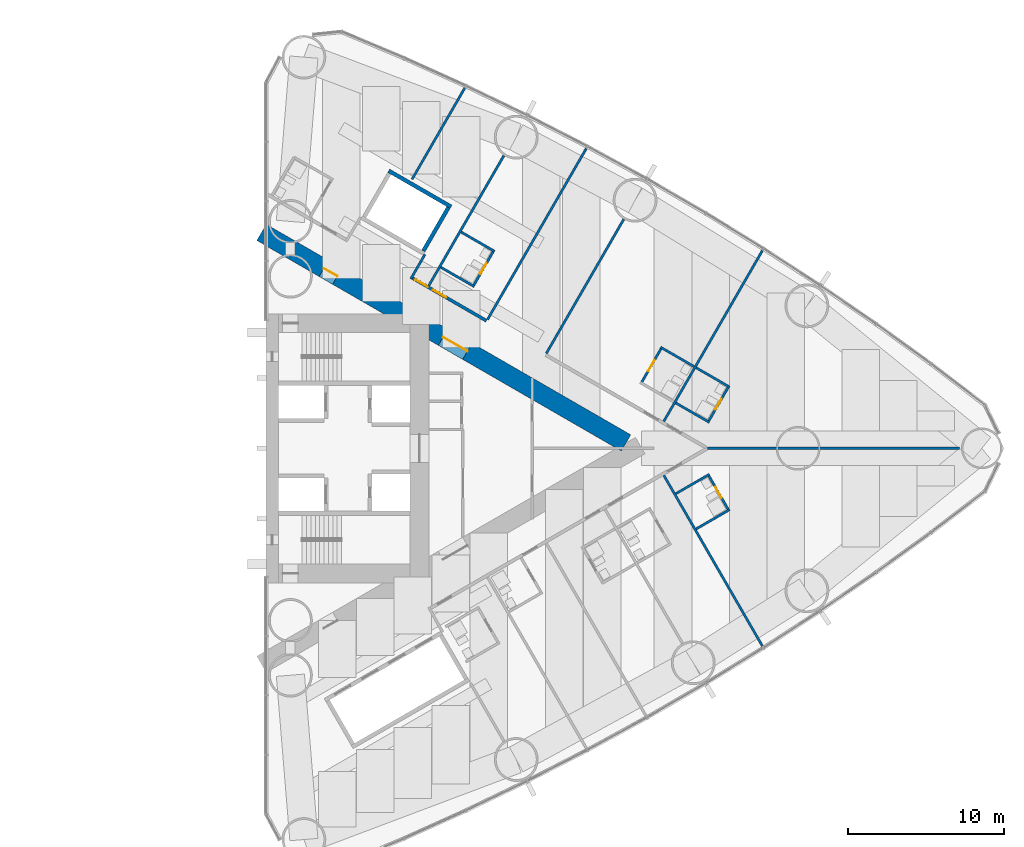
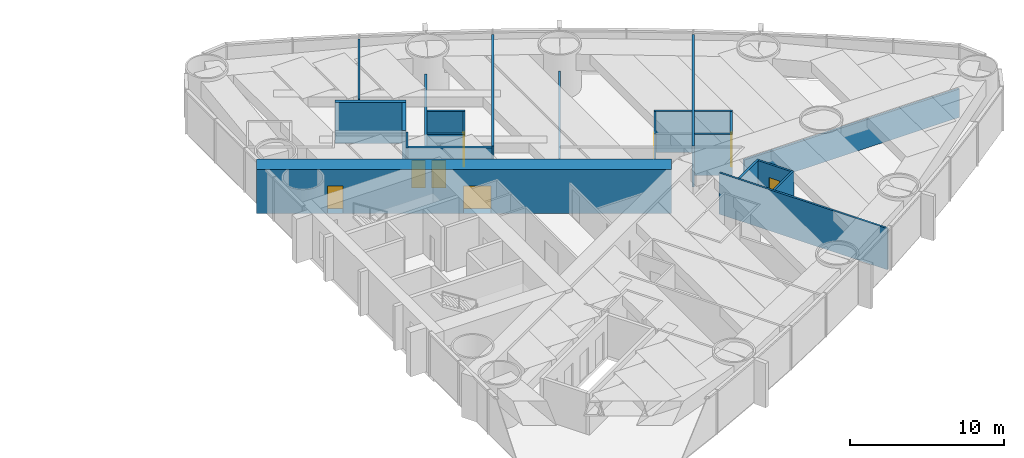
# One storey, part 15 of 18: 23 walls, 8 doors, 8 openings.
"""IFC4 building model written with IfcOpenShell, lengths in metres."""

import ifcopenshell
import ifcopenshell.guid

model = None  # the IFC model being written
_history = None  # IfcOwnerHistory: only IFC2X3 demands one
_inside = {}  # id of a spatial element -> (the spatial element, [elements in it])
_under = {}  # id of a project, library or spatial element -> (it, [spatial elements below it])
_declared = {}  # id of a project -> (the project, [libraries it declares])
_typed = {}  # id of a type object -> (the type object, [elements of that type])
_made_of = {}  # id of a material, layer set ... -> (it, [elements and type objects made of it])


def new_model(schema):
    """Start an empty IFC model of exactly this schema.

    Asked for "IFC4X3", IfcOpenShell would pick the latest addendum, in which some entities
    have other attributes; the version numbers below select the first issue.
    IFC2X3 requires an IfcOwnerHistory on every rooted entity: one is made here for all.
    """
    global model, _history
    if schema == "IFC4X3":
        model = ifcopenshell.file(schema_version=(4, 3, 0, 0))
    else:
        model = ifcopenshell.file(schema=schema)
    _inside.clear()
    _under.clear()
    _declared.clear()
    _typed.clear()
    _made_of.clear()
    _history = None
    if model.schema == "IFC2X3":
        org = make("IfcOrganization", Name="unknown")
        user = make(
            "IfcPersonAndOrganization",
            ThePerson=make("IfcPerson", FamilyName="unknown"),
            TheOrganization=org,
        )
        app = make(
            "IfcApplication",
            ApplicationDeveloper=org,
            Version="unknown",
            ApplicationFullName="unknown",
            ApplicationIdentifier="unknown",
        )
        _history = make(
            "IfcOwnerHistory",
            OwningUser=user,
            OwningApplication=app,
            ChangeAction="ADDED",
            CreationDate=0,
        )
    return model


def make(cls, **values):
    """One entity of the class cls with the attributes given. An attribute that is None is left unset."""
    return model.create_entity(
        cls, **{name: value for name, value in values.items() if value is not None}
    )


def rooted(cls, **values):
    """An entity with a GlobalId (a new one), such as an element, a storey or a relation."""
    return make(cls, GlobalId=ifcopenshell.guid.new(), OwnerHistory=_history, **values)


def si_unit(unit_type, name, prefix=None):
    """IfcSIUnit, for example si_unit("LENGTHUNIT", "METRE", prefix="MILLI")."""
    return make("IfcSIUnit", UnitType=unit_type, Prefix=prefix, Name=name)


def assignment(units):
    """IfcUnitAssignment: the units of a project."""
    return None if units is None else make("IfcUnitAssignment", Units=units)


def point(xyz):
    """IfcCartesianPoint."""
    return None if xyz is None else make("IfcCartesianPoint", Coordinates=xyz)


def direction(xyz):
    """IfcDirection."""
    return None if xyz is None else make("IfcDirection", DirectionRatios=xyz)


def frame(location, z_axis=None, x_axis=None):
    """IfcAxis2Placement3D, a coordinate frame: its origin and axes. An axis left out is left unset."""
    return make(
        "IfcAxis2Placement3D",
        Location=point(location),
        Axis=direction(z_axis),
        RefDirection=direction(x_axis),
    )


def frame_2d(location, x_axis=None):
    """IfcAxis2Placement2D, a coordinate frame in the plane: its origin and x axis."""
    return make(
        "IfcAxis2Placement2D", Location=point(location), RefDirection=direction(x_axis)
    )


def origin():
    """The frame at (0, 0, 0) with its axes left unset."""
    return frame((0.0, 0.0, 0.0))


def place(relative_to, where):
    """IfcLocalPlacement: puts the frame where relative to a parent placement (None: the world)."""
    return make(
        "IfcLocalPlacement", PlacementRelTo=relative_to, RelativePlacement=where
    )


def context(
    kind, dimensions, precision=None, world=None, true_north=None, identifier=None
):
    """IfcGeometricRepresentationContext, for example the 3D "Model" context."""
    return make(
        "IfcGeometricRepresentationContext",
        ContextIdentifier=identifier,
        ContextType=kind,
        CoordinateSpaceDimension=dimensions,
        Precision=precision,
        WorldCoordinateSystem=world,
        TrueNorth=true_north,
    )


def subcontext(parent, identifier, kind, view, scale=None):
    """IfcGeometricRepresentationSubContext, for example "Body" below "Model"."""
    return make(
        "IfcGeometricRepresentationSubContext",
        ContextIdentifier=identifier,
        ContextType=kind,
        ParentContext=parent,
        TargetScale=scale,
        TargetView=view,
    )


def project(units=None, contexts=None):
    """IfcProject with its units and contexts."""
    return rooted(
        "IfcProject",
        Name="project",
        RepresentationContexts=contexts,
        UnitsInContext=assignment(units),
    )


def spatial(cls, under=None, at=None, **own):
    """A site, building, storey or space (cls), placed at a placement, below another one or the project."""
    s = rooted(cls, ObjectPlacement=at, **own)
    if under is not None:
        _under.setdefault(under.id(), (under, []))[1].append(s)
    return s


def profile(cls, at=None, kind="AREA", **sizes):
    """A parametric profile (cls). Its sizes go by their IFC names, for example OverallWidth=200.0."""
    return make(cls, ProfileType=kind, Position=at, **sizes)


def rectangle(**sizes):
    """IfcRectangleProfileDef."""
    return profile("IfcRectangleProfileDef", **sizes)


def extrude(swept, where, along, depth):
    """IfcExtrudedAreaSolid: the profile swept, set in the frame where, extruded along a direction by depth."""
    return make(
        "IfcExtrudedAreaSolid",
        SweptArea=swept,
        Position=where,
        ExtrudedDirection=direction(along),
        Depth=depth,
    )


def shape(context_of_items, identifier, shape_type, items):
    """IfcShapeRepresentation: the items that make up one representation, for example the "Body"."""
    return make(
        "IfcShapeRepresentation",
        ContextOfItems=context_of_items,
        RepresentationIdentifier=identifier,
        RepresentationType=shape_type,
        Items=items,
    )


def material(Name=None, Category=None):
    """IfcMaterial."""
    return make("IfcMaterial", Name=Name, Category=Category)


def layer(
    of_material, thickness, ventilated=None, Name=None, Category=None, Priority=None
):
    """IfcMaterialLayer: one layer of a wall or slab, of a material (None: an air gap)."""
    return make(
        "IfcMaterialLayer",
        Material=of_material,
        LayerThickness=thickness,
        IsVentilated=ventilated,
        Name=Name,
        Category=Category,
        Priority=Priority,
    )


def layer_set(layers, Name=None):
    """IfcMaterialLayerSet."""
    return make("IfcMaterialLayerSet", MaterialLayers=layers, LayerSetName=Name)


def made_of(thing, what):
    """Note that an element or type object is made of a material, layer set ...; save() writes the relation."""
    if what is not None:
        _made_of.setdefault(what.id(), (what, []))[1].append(thing)
    return thing


def type_object(cls, material=None, **own):
    """A type object (cls), such as IfcWallType, which elements share."""
    return made_of(rooted(cls, **own), material)


def element(
    cls,
    number,
    at=None,
    inside=None,
    cuts=None,
    type_object=None,
    material=None,
    context=None,
    identifier="Body",
    shape_type=None,
    held_by="IfcProductDefinitionShape",
    body=None,
    shapes=None,
    **own,
):
    """One element of the class cls, such as IfcWall. Its Tag is "e" and its number.

    at: its placement. inside: the storey or other place that contains it. cuts: it is an
    opening in that element (IfcRelVoidsElement). A single representation is given by context,
    identifier, shape_type and body (its items); several are given by shapes. held_by: the class
    of the entity that holds the representations. save() writes the other relations.
    """
    e = rooted(cls, Tag="e%d" % number, ObjectPlacement=at, **own)
    if body is not None:
        shapes = [shape(context, identifier, shape_type, body)]
    if shapes is not None:
        e.Representation = make(held_by, Representations=shapes)
    if inside is not None:
        _inside.setdefault(inside.id(), (inside, []))[1].append(e)
    if cuts is not None:
        rooted(
            "IfcRelVoidsElement", RelatingBuildingElement=cuts, RelatedOpeningElement=e
        )
    if type_object is not None:
        _typed.setdefault(type_object.id(), (type_object, []))[1].append(e)
    return made_of(e, material)


def fill(opening, filler):
    """IfcRelFillsElement: the door or window that sits in an opening."""
    return rooted(
        "IfcRelFillsElement",
        RelatingOpeningElement=opening,
        RelatedBuildingElement=filler,
    )


def aggregate(whole, parts):
    """IfcRelAggregates: a whole, such as a stair, and the parts it consists of."""
    return rooted("IfcRelAggregates", RelatingObject=whole, RelatedObjects=parts)


def save(model, path):
    """Write the relations noted so far, then the file.

    IfcRelAggregates (storeys below a building ...), IfcRelContainedInSpatialStructure (elements
    in a storey), IfcRelDefinesByType, IfcRelAssociatesMaterial and IfcRelDeclares: one each for
    every whole, place, type object, material and project.
    """
    for whole, parts in _under.values():
        aggregate(whole, parts)
    for where, things in _inside.values():
        rooted(
            "IfcRelContainedInSpatialStructure",
            RelatedElements=things,
            RelatingStructure=where,
        )
    for kind, things in _typed.values():
        rooted("IfcRelDefinesByType", RelatedObjects=things, RelatingType=kind)
    for what, things in _made_of.values():
        rooted("IfcRelAssociatesMaterial", RelatedObjects=things, RelatingMaterial=what)
    for by, libraries in _declared.values():
        rooted("IfcRelDeclares", RelatingContext=by, RelatedDefinitions=libraries)
    model.write(path)


model = new_model("IFC4")

# Units and contexts
model_context = context("Model", 3, precision=1e-05, world=origin(), true_north=direction((0.0, 1.0)))
body_context = subcontext(model_context, "Body", "Model", "MODEL_VIEW")
ifc_project = project(units=[si_unit("LENGTHUNIT", "METRE"), si_unit("AREAUNIT", "SQUARE_METRE"), si_unit("VOLUMEUNIT", "CUBIC_METRE"), si_unit("PLANEANGLEUNIT", "RADIAN"), si_unit("MASSUNIT", "GRAM", prefix="KILO")], contexts=[model_context])

# Site, building, storey
site_placement = place(None, origin())
site = spatial("IfcSite", under=ifc_project, at=site_placement, CompositionType="ELEMENT")
building_placement = place(site_placement, origin())
building = spatial("IfcBuilding", under=site, at=building_placement, Name="Lancet Gate Hotel", CompositionType="ELEMENT")
storey_placement = place(building_placement, frame((0.0, 0.0, 49.5)))
storey = spatial("IfcBuildingStorey", under=building, at=storey_placement, Name="L12", CompositionType="ELEMENT", Elevation=49.5)

# Wall
ifc_material_1 = material(Name="Moisture resistant board partition")
ifc_layer_1 = layer(ifc_material_1, 0.14990234375)
ifc_layer_set_1 = layer_set([ifc_layer_1], Name="Bathroom wall 150")
wall_type_1 = type_object("IfcWallType", Name="Bathroom wall 150", PredefinedType="PARTITIONING", material=ifc_layer_set_1)
wall_1_placement = place(storey_placement, frame((54.979736328125, -5.1513671875, 0.0), z_axis=(0.0, 0.0, 1.0), x_axis=(0.86604923931, 0.499958713387, 0.0)))
element("IfcWall", 1, at=wall_1_placement, inside=storey, type_object=wall_type_1, Name="T2 bathroom wall 150 L12", PredefinedType="PARTITIONING", context=body_context, shape_type="SweptSolid", body=[
    extrude(rectangle(XDim=2.474853515625, YDim=0.14990234375, at=frame_2d((1.2373046875, 0.0))), origin(), (0.0, 0.0, 1.0), 3.25),
])

# Wall, opening, door
wall_2_placement = place(storey_placement, frame((55.758056640625, -1.69970703125, 0.0), z_axis=(0.0, 0.0, 1.0), x_axis=(0.500006934395, -0.866021400173, 0.0)))
wall_2 = element("IfcWall", 2, at=wall_2_placement, inside=storey, type_object=wall_type_1, Name="T2 bathroom wall 150 L12", PredefinedType="PARTITIONING", context=body_context, shape_type="SweptSolid", body=[
    extrude(rectangle(XDim=2.60009765625, YDim=0.14990234375, at=frame_2d((1.300048828125, 0.0))), origin(), (0.0, 0.0, 1.0), 3.25),
])
opening_1_placement = place(wall_2_placement, frame((0.89990234375, 0.0, 0.0)))
opening_1 = element("IfcOpeningElement", 3, at=opening_1_placement, cuts=wall_2, Name="Opening 1257-B", PredefinedType="OPENING", context=body_context, shape_type="SweptSolid", body=[
    extrude(rectangle(XDim=0.800048828125, YDim=2.199951171875, at=frame_2d((0.39990234375, 1.10009765625))), frame((0.0, 0.0849609375, 0.0), z_axis=(0.0, -1.0, 0.0), x_axis=(1.0, 0.0, 0.0)), (0.0, 0.0, 1.0), 0.169921875),
])
ifc_material_2 = material(Name="Timber door set", Category="wood")
door_type_1 = type_object("IfcDoorType", Name="Bathroom door 800", OperationType="SINGLE_SWING_RIGHT", PredefinedType="DOOR", material=ifc_material_2)
door_1_placement = place(opening_1_placement, origin())
door_1 = element("IfcDoor", 4, at=door_1_placement, inside=storey, type_object=door_type_1, Name="1257-B", OperationType="SINGLE_SWING_RIGHT", OverallHeight=2.199951171875, OverallWidth=0.800048828125, PredefinedType="DOOR", context=body_context, shape_type="SweptSolid", body=[
    extrude(rectangle(XDim=0.800048828125, YDim=2.199951171875, at=frame_2d((0.39990234375, 1.10009765625))), frame((0.0, 0.02490234375, 0.0), z_axis=(0.0, -1.0, 0.0), x_axis=(1.0, 0.0, 0.0)), (0.0, 0.0, 1.0), 0.050048828125),
])
fill(opening_1, door_1)

# Walls
for number, where, z_axis, x_axis, name in (
    (5, (53.6796875, -2.89990234375, 0.0), (0.0, 0.0, 1.0), (0.866006523861, 0.500032699561, 0.0), "T2 bathroom wall 150 L12"),
    (6, (54.979736328125, 5.1513671875, 0.0), (0.0, 0.0, 1.0), (0.86604923931, -0.499958713387, 0.0), "T2 bathroom wall 150 L12"),
):
    element("IfcWall", number, at=place(storey_placement, frame(where, z_axis=z_axis, x_axis=x_axis)), inside=storey, type_object=wall_type_1, Name=name, PredefinedType="PARTITIONING", context=body_context, shape_type="SweptSolid", body=[
        extrude(rectangle(XDim=2.474853515625, YDim=0.14990234375, at=frame_2d((1.2373046875, 0.0))), origin(), (0.0, 0.0, 1.0), 3.25),
    ])

# Wall, opening, door
wall_3_placement = place(storey_placement, frame((55.758056640625, 1.69970703125, 0.0), z_axis=(0.0, 0.0, 1.0), x_axis=(0.500006934395, 0.866021400173, 0.0)))
wall_3 = element("IfcWall", 7, at=wall_3_placement, inside=storey, type_object=wall_type_1, Name="T2 bathroom wall 150 L12", PredefinedType="PARTITIONING", context=body_context, shape_type="SweptSolid", body=[
    extrude(rectangle(XDim=2.60009765625, YDim=0.14990234375, at=frame_2d((1.300048828125, 0.0))), origin(), (0.0, 0.0, 1.0), 3.25),
])
opening_2_placement = place(wall_3_placement, frame((0.89990234375, 0.0, 0.0)))
opening_2 = element("IfcOpeningElement", 8, at=opening_2_placement, cuts=wall_3, Name="Opening 1258-B", PredefinedType="OPENING", context=body_context, shape_type="SweptSolid", body=[
    extrude(rectangle(XDim=0.800048828125, YDim=2.199951171875, at=frame_2d((0.39990234375, 1.10009765625))), frame((0.0, 0.0849609375, 0.0), z_axis=(0.0, -1.0, 0.0), x_axis=(1.0, 0.0, 0.0)), (0.0, 0.0, 1.0), 0.169921875),
])
door_2_placement = place(opening_2_placement, origin())
door_2 = element("IfcDoor", 9, at=door_2_placement, inside=storey, type_object=door_type_1, Name="1258-B", OperationType="SINGLE_SWING_RIGHT", OverallHeight=2.199951171875, OverallWidth=0.800048828125, PredefinedType="DOOR", context=body_context, shape_type="SweptSolid", body=[
    extrude(rectangle(XDim=0.800048828125, YDim=2.199951171875, at=frame_2d((0.39990234375, 1.10009765625))), frame((0.0, 0.02490234375, 0.0), z_axis=(0.0, -1.0, 0.0), x_axis=(1.0, 0.0, 0.0)), (0.0, 0.0, 1.0), 0.050048828125),
])
fill(opening_2, door_2)

# Walls
for number, where, z_axis, x_axis, name in (
    (10, (53.6796875, 2.89990234375, 0.0), (0.0, 0.0, 1.0), (0.866006523861, -0.500032699561, 0.0), "T2 bathroom wall 150 L12"),
    (11, (52.706298828125, 6.4638671875, 0.0), (0.0, 0.0, 1.0), (0.86604923931, -0.499958713387, 0.0), "T2 bathroom wall 150 L12"),
):
    element("IfcWall", number, at=place(storey_placement, frame(where, z_axis=z_axis, x_axis=x_axis)), inside=storey, type_object=wall_type_1, Name=name, PredefinedType="PARTITIONING", context=body_context, shape_type="SweptSolid", body=[
        extrude(rectangle(XDim=2.474853515625, YDim=0.14990234375, at=frame_2d((1.2373046875, 0.0))), origin(), (0.0, 0.0, 1.0), 3.25),
    ])

# Wall, opening, door
wall_4_placement = place(storey_placement, frame((51.47119140625, 4.1748046875, 0.0), z_axis=(0.0, 0.0, 1.0), x_axis=(0.500006934395, 0.866021400173, 0.0)))
wall_4 = element("IfcWall", 12, at=wall_4_placement, inside=storey, type_object=wall_type_1, Name="T2 bathroom wall 150 L12", PredefinedType="PARTITIONING", context=body_context, shape_type="SweptSolid", body=[
    extrude(rectangle(XDim=2.60009765625, YDim=0.14990234375, at=frame_2d((1.300048828125, 0.0))), origin(), (0.0, 0.0, 1.0), 3.25),
])
opening_3_placement = place(wall_4_placement, frame((0.89990234375, 0.0, 0.0)))
opening_3 = element("IfcOpeningElement", 13, at=opening_3_placement, cuts=wall_4, Name="Opening 1259-B", PredefinedType="OPENING", context=body_context, shape_type="SweptSolid", body=[
    extrude(rectangle(XDim=0.800048828125, YDim=2.199951171875, at=frame_2d((0.39990234375, 1.10009765625))), frame((0.0, 0.0849609375, 0.0), z_axis=(0.0, -1.0, 0.0), x_axis=(1.0, 0.0, 0.0)), (0.0, 0.0, 1.0), 0.169921875),
])
door_3_placement = place(opening_3_placement, origin())
door_3 = element("IfcDoor", 14, at=door_3_placement, inside=storey, type_object=door_type_1, Name="1259-B", OperationType="SINGLE_SWING_RIGHT", OverallHeight=2.199951171875, OverallWidth=0.800048828125, PredefinedType="DOOR", context=body_context, shape_type="SweptSolid", body=[
    extrude(rectangle(XDim=0.800048828125, YDim=2.199951171875, at=frame_2d((0.39990234375, 1.10009765625))), frame((0.0, 0.02490234375, 0.0), z_axis=(0.0, -1.0, 0.0), x_axis=(1.0, 0.0, 0.0)), (0.0, 0.0, 1.0), 0.050048828125),
])
fill(opening_3, door_3)

# Wall
wall_5_placement = place(storey_placement, frame((39.960205078125, 13.822998046875, 0.0), z_axis=(0.0, 0.0, 1.0), x_axis=(0.866006523861, -0.500032699561, 0.0)))
element("IfcWall", 15, at=wall_5_placement, inside=storey, type_object=wall_type_1, Name="T2 bathroom wall 150 L12", PredefinedType="PARTITIONING", context=body_context, shape_type="SweptSolid", body=[
    extrude(rectangle(XDim=2.474853515625, YDim=0.14990234375, at=frame_2d((1.2373046875, 0.0))), origin(), (0.0, 0.0, 1.0), 3.25),
])

# Wall, opening, door
wall_6_placement = place(storey_placement, frame((40.738525390625, 10.371337890625, 0.0), z_axis=(0.0, 0.0, 1.0), x_axis=(0.500006934395, 0.866021400173, 0.0)))
wall_6 = element("IfcWall", 16, at=wall_6_placement, inside=storey, type_object=wall_type_1, Name="T2 bathroom wall 150 L12", PredefinedType="PARTITIONING", context=body_context, shape_type="SweptSolid", body=[
    extrude(rectangle(XDim=2.60009765625, YDim=0.14990234375, at=frame_2d((1.300048828125, 0.0))), origin(), (0.0, 0.0, 1.0), 3.25),
])
opening_4_placement = place(wall_6_placement, frame((0.89990234375, 0.0, 0.0)))
opening_4 = element("IfcOpeningElement", 17, at=opening_4_placement, cuts=wall_6, Name="Opening 1262-B", PredefinedType="OPENING", context=body_context, shape_type="SweptSolid", body=[
    extrude(rectangle(XDim=0.800048828125, YDim=2.199951171875, at=frame_2d((0.39990234375, 1.10009765625))), frame((0.0, 0.0849609375, 0.0), z_axis=(0.0, -1.0, 0.0), x_axis=(1.0, 0.0, 0.0)), (0.0, 0.0, 1.0), 0.169921875),
])
door_4_placement = place(opening_4_placement, origin())
door_4 = element("IfcDoor", 18, at=door_4_placement, inside=storey, type_object=door_type_1, Name="1262-B", OperationType="SINGLE_SWING_RIGHT", OverallHeight=2.199951171875, OverallWidth=0.800048828125, PredefinedType="DOOR", context=body_context, shape_type="SweptSolid", body=[
    extrude(rectangle(XDim=0.800048828125, YDim=2.199951171875, at=frame_2d((0.39990234375, 1.10009765625))), frame((0.0, 0.02490234375, 0.0), z_axis=(0.0, -1.0, 0.0), x_axis=(1.0, 0.0, 0.0)), (0.0, 0.0, 1.0), 0.050048828125),
])
fill(opening_4, door_4)

# Wall
wall_7_placement = place(storey_placement, frame((38.66015625, 11.5712890625, 0.0), z_axis=(0.0, 0.0, 1.0), x_axis=(0.866006523861, -0.500032699561, 0.0)))
element("IfcWall", 19, at=wall_7_placement, inside=storey, type_object=wall_type_1, Name="T2 bathroom wall 150 L12", PredefinedType="PARTITIONING", context=body_context, shape_type="SweptSolid", body=[
    extrude(rectangle(XDim=2.474853515625, YDim=0.14990234375, at=frame_2d((1.2373046875, 0.0))), origin(), (0.0, 0.0, 1.0), 3.25),
])

# Wall, openings, doors
ifc_material_3 = material(Name="Concrete C70/85", Category="concrete")
ifc_layer_2 = layer(ifc_material_3, 1.199951171875)
ifc_layer_set_2 = layer_set([ifc_layer_2], Name="Buttress wall 1200")
wall_type_2 = type_object("IfcWallType", Name="Buttress wall 1200", PredefinedType="SHEAR", material=ifc_layer_set_2)
wall_8_placement = place(storey_placement, frame((27.199951171875, 13.800048828125, 0.0), z_axis=(0.0, 0.0, 1.0), x_axis=(0.866024515034, -0.500001539357, 0.0)))
wall_8 = element("IfcWall", 20, at=wall_8_placement, inside=storey, type_object=wall_type_2, Name="T2 buttress wall N L12", PredefinedType="SHEAR", context=body_context, shape_type="SweptSolid", body=[
    extrude(rectangle(XDim=26.9072265625, YDim=1.199951171875, at=frame_2d((13.45361328125, 0.0))), origin(), (0.0, 0.0, 1.0), 3.5),
])
opening_5_placement = place(wall_8_placement, frame((4.60009765625, 0.0, 0.0)))
opening_5 = element("IfcOpeningElement", 21, at=opening_5_placement, cuts=wall_8, Name="Opening T2-L12-LN", PredefinedType="OPENING", context=body_context, shape_type="SweptSolid", body=[
    extrude(rectangle(XDim=1.0, YDim=2.199951171875, at=frame_2d((0.5, 1.10009765625))), frame((0.0, 0.60986328125, 0.0), z_axis=(0.0, -1.0, 0.0), x_axis=(1.0, 0.0, 0.0)), (0.0, 0.0, 1.0), 1.219970703125),
])
opening_6_placement = place(wall_8_placement, frame((13.39453125, 0.0, 0.0)))
opening_6 = element("IfcOpeningElement", 22, at=opening_6_placement, cuts=wall_8, Name="Opening T2-L12-LHN", PredefinedType="OPENING", context=body_context, shape_type="SweptSolid", body=[
    extrude(rectangle(XDim=1.800048828125, YDim=2.199951171875, at=frame_2d((0.89990234375, 1.10009765625))), frame((0.0, 0.60986328125, 0.0), z_axis=(0.0, -1.0, 0.0), x_axis=(1.0, 0.0, 0.0)), (0.0, 0.0, 1.0), 1.219970703125),
])
ifc_material_4 = material(Name="Timber door set", Category="wood")
door_type_2 = type_object("IfcDoorType", Name="Lobby double door 1800", OperationType="DOUBLE_DOOR_SINGLE_SWING", PredefinedType="DOOR", material=ifc_material_4)
door_5_placement = place(opening_6_placement, origin())
door_5 = element("IfcDoor", 23, at=door_5_placement, inside=storey, type_object=door_type_2, Name="T2-L12-LHN", OperationType="DOUBLE_DOOR_SINGLE_SWING", OverallHeight=2.199951171875, OverallWidth=1.800048828125, PredefinedType="DOOR", context=body_context, shape_type="SweptSolid", body=[
    extrude(rectangle(XDim=1.800048828125, YDim=2.199951171875, at=frame_2d((0.89990234375, 1.10009765625))), frame((0.0, 0.02490234375, 0.0), z_axis=(0.0, -1.0, 0.0), x_axis=(1.0, 0.0, 0.0)), (0.0, 0.0, 1.0), 0.050048828125),
])
fill(opening_6, door_5)
ifc_material_5 = material(Name="Timber door set", Category="wood")
door_type_3 = type_object("IfcDoorType", Name="Stair lobby door 1000", OperationType="SINGLE_SWING_LEFT", PredefinedType="DOOR", material=ifc_material_5)
door_6_placement = place(opening_5_placement, origin())
door_6 = element("IfcDoor", 24, at=door_6_placement, inside=storey, type_object=door_type_3, Name="T2-L12-LN", OperationType="SINGLE_SWING_LEFT", OverallHeight=2.199951171875, OverallWidth=1.0, PredefinedType="DOOR", context=body_context, shape_type="SweptSolid", body=[
    extrude(rectangle(XDim=1.0, YDim=2.199951171875, at=frame_2d((0.5, 1.10009765625))), frame((0.0, 0.02490234375, 0.0), z_axis=(0.0, -1.0, 0.0), x_axis=(1.0, 0.0, 0.0)), (0.0, 0.0, 1.0), 0.050048828125),
])
fill(opening_5, door_6)

ifc_material_6 = material(Name="Gypsum board partition")
ifc_layer_3 = layer(ifc_material_6, 0.199951171875)
ifc_layer_set_3 = layer_set([ifc_layer_3], Name="Corridor wall 200")
wall_type_3 = type_object("IfcWallType", Name="Corridor wall 200", PredefinedType="PARTITIONING", material=ifc_layer_set_3)
wall_9_placement = place(storey_placement, frame((36.833984375, 10.8935546875, 0.0), z_axis=(0.0, 0.0, 1.0), x_axis=(0.866031136856, -0.499990069898, 0.0)))
wall_9 = element("IfcWall", 25, at=wall_9_placement, inside=storey, type_object=wall_type_3, Name="T2 corridor wall 200 L12", PredefinedType="PARTITIONING", context=body_context, shape_type="SweptSolid", body=[
    extrude(rectangle(XDim=5.47509765625, YDim=0.199951171875, at=frame_2d((2.737548828125, 0.0))), origin(), (0.0, 0.0, 1.0), 3.25),
])
opening_7_placement = place(wall_9_placement, frame((1.54248046875, 0.0, 0.0)))
opening_7 = element("IfcOpeningElement", 26, at=opening_7_placement, cuts=wall_9, Name="Opening 1262-E", PredefinedType="OPENING", context=body_context, shape_type="SweptSolid", body=[
    extrude(rectangle(XDim=0.949951171875, YDim=2.199951171875, at=frame_2d((0.47509765625, 1.10009765625))), frame((0.0, 0.10986328125, 0.0), z_axis=(0.0, -1.0, 0.0), x_axis=(1.0, 0.0, 0.0)), (0.0, 0.0, 1.0), 0.219970703125),
])
opening_8_placement = place(wall_9_placement, frame((0.246337890625, 0.0, 0.0)))
opening_8 = element("IfcOpeningElement", 27, at=opening_8_placement, cuts=wall_9, Name="Opening T2-L12-LO2", PredefinedType="OPENING", context=body_context, shape_type="SweptSolid", body=[
    extrude(rectangle(XDim=0.89990234375, YDim=2.199951171875, at=frame_2d((0.449951171875, 1.10009765625))), frame((0.0, 0.10986328125, 0.0), z_axis=(0.0, -1.0, 0.0), x_axis=(1.0, 0.0, 0.0)), (0.0, 0.0, 1.0), 0.219970703125),
])
ifc_material_7 = material(Name="Timber door set", Category="wood")
door_type_4 = type_object("IfcDoorType", Name="Guest room entry door 950", OperationType="SINGLE_SWING_LEFT", PredefinedType="DOOR", material=ifc_material_7)
door_7_placement = place(opening_7_placement, origin())
door_7 = element("IfcDoor", 28, at=door_7_placement, inside=storey, type_object=door_type_4, Name="1262-E", OperationType="SINGLE_SWING_LEFT", OverallHeight=2.199951171875, OverallWidth=0.949951171875, PredefinedType="DOOR", context=body_context, shape_type="SweptSolid", body=[
    extrude(rectangle(XDim=0.949951171875, YDim=2.199951171875, at=frame_2d((0.47509765625, 1.10009765625))), frame((0.0, 0.02490234375, 0.0), z_axis=(0.0, -1.0, 0.0), x_axis=(1.0, 0.0, 0.0)), (0.0, 0.0, 1.0), 0.050048828125),
])
fill(opening_7, door_7)
door_8_placement = place(opening_8_placement, origin())
door_8 = element("IfcDoor", 29, at=door_8_placement, inside=storey, type_object=door_type_4, Name="T2-L12-LO2", OperationType="SINGLE_SWING_LEFT", OverallHeight=2.199951171875, OverallWidth=0.89990234375, PredefinedType="DOOR", context=body_context, shape_type="SweptSolid", body=[
    extrude(rectangle(XDim=0.89990234375, YDim=2.199951171875, at=frame_2d((0.449951171875, 1.10009765625))), frame((0.0, 0.02490234375, 0.0), z_axis=(0.0, -1.0, 0.0), x_axis=(1.0, 0.0, 0.0)), (0.0, 0.0, 1.0), 0.050048828125),
])
fill(opening_8, door_8)

# Walls
ifc_material_8 = material(Name="Gypsum board partition")
ifc_layer_4 = layer(ifc_material_8, 0.25)
ifc_layer_set_4 = layer_set([ifc_layer_4], Name="Lift shaft partition 250")
wall_type_4 = type_object("IfcWallType", Name="Lift shaft partition 250", PredefinedType="PARTITIONING", material=ifc_layer_set_4)
wall_10_placement = place(storey_placement, frame((35.33349609375, 17.73583984375, 0.0), z_axis=(0.0, 0.0, 1.0), x_axis=(0.866043305498, -0.49996899204, 0.0)))
element("IfcWall", 30, at=wall_10_placement, inside=storey, type_object=wall_type_4, Name="T2 lift shaft wall EX L12", PredefinedType="PARTITIONING", context=body_context, shape_type="SweptSolid", body=[
    extrude(rectangle(XDim=4.600341796875, YDim=0.25, at=frame_2d((2.30029296875, 0.0))), origin(), (0.0, 0.0, 1.0), 3.25),
])
wall_11_placement = place(storey_placement, frame((37.546630859375, 12.617919921875, 0.0), z_axis=(0.0, 0.0, 1.0), x_axis=(0.499929347863, 0.866066190972, 0.0)))
element("IfcWall", 31, at=wall_11_placement, inside=storey, type_object=wall_type_4, Name="T2 lift shaft wall EX L12", PredefinedType="PARTITIONING", context=body_context, shape_type="SweptSolid", body=[
    extrude(rectangle(XDim=3.20068359375, YDim=0.25, at=frame_2d((1.600341796875, 0.0))), origin(), (0.0, 0.0, 1.0), 3.25),
])
ifc_material_9 = material(Name="Gypsum board partition")
ifc_layer_5 = layer(ifc_material_9, 0.14990234375)
ifc_layer_set_5 = layer_set([ifc_layer_5], Name="Party wall 150")
wall_type_5 = type_object("IfcWallType", Name="Party wall 150", PredefinedType="PARTITIONING", material=ifc_layer_set_5)
wall_12_placement = place(storey_placement, frame((52.914794921875, -1.724853515625, 0.0), z_axis=(0.0, 0.0, 1.0), x_axis=(0.499997163113, -0.866027041656, 0.0)))
element("IfcWall", 32, at=wall_12_placement, inside=storey, type_object=wall_type_5, Name="T2 party wall 150 L12", PredefinedType="PARTITIONING", context=body_context, shape_type="SweptSolid", body=[
    extrude(rectangle(XDim=12.5908203125, YDim=0.14990234375, at=frame_2d((6.29541015625, 0.0))), origin(), (0.0, 0.0, 1.0), 3.25),
])
wall_13_placement = place(storey_placement, frame((37.895263671875, 10.396484375, 0.0), z_axis=(0.0, 0.0, 1.0), x_axis=(0.499995616528, 0.866027934568, 0.0)))
element("IfcWall", 33, at=wall_13_placement, inside=storey, type_object=wall_type_5, Name="T2 party wall 150 L12", PredefinedType="PARTITIONING", context=body_context, shape_type="SweptSolid", body=[
    extrude(rectangle(XDim=9.59326171875, YDim=0.14990234375, at=frame_2d((4.796630859375, 0.0))), origin(), (0.0, 0.0, 1.0), 2.25),
])
wall_14_placement = place(storey_placement, frame((41.6474609375, 8.22998046875, 0.0), z_axis=(0.0, 0.0, 1.0), x_axis=(0.49998590462, 0.866033541603, 0.0)))
element("IfcWall", 34, at=wall_14_placement, inside=storey, type_object=wall_type_5, Name="T2 party wall 150 L12", PredefinedType="PARTITIONING", context=body_context, shape_type="SweptSolid", body=[
    extrude(rectangle(XDim=12.620849609375, YDim=0.14990234375, at=frame_2d((6.310546875, 0.0))), origin(), (0.0, 0.0, 1.0), 3.25),
])
wall_15_placement = place(storey_placement, frame((45.40283203125, 6.061767578125, 0.0), z_axis=(0.0, 0.0, 1.0), x_axis=(0.500013434677, 0.866017647131, 0.0)))
element("IfcWall", 35, at=wall_15_placement, inside=storey, type_object=wall_type_5, Name="T2 party wall 150 L12", PredefinedType="PARTITIONING", context=body_context, shape_type="SweptSolid", body=[
    extrude(rectangle(XDim=9.901611328125, YDim=0.14990234375, at=frame_2d((4.95068359375, 0.0))), origin(), (0.0, 0.0, 1.0), 2.25),
])
wall_16_placement = place(storey_placement, frame((52.914794921875, 1.724853515625, 0.0), z_axis=(0.0, 0.0, 1.0), x_axis=(0.499997163113, 0.866027041656, 0.0)))
element("IfcWall", 36, at=wall_16_placement, inside=storey, type_object=wall_type_5, Name="T2 party wall 150 L12", PredefinedType="PARTITIONING", context=body_context, shape_type="SweptSolid", body=[
    extrude(rectangle(XDim=12.5908203125, YDim=0.14990234375, at=frame_2d((6.29541015625, 0.0))), origin(), (0.0, 0.0, 1.0), 3.25),
])
wall_17_placement = place(storey_placement, frame((55.7021484375, 0.0, 0.0), z_axis=(0.0, 0.0, 1.0), x_axis=(1.0, 0.0, 0.0)))
element("IfcWall", 37, at=wall_17_placement, inside=storey, type_object=wall_type_5, Name="T2 party wall 150 L12", PredefinedType="PARTITIONING", context=body_context, shape_type="SweptSolid", body=[
    extrude(rectangle(XDim=16.116943359375, YDim=0.14990234375, at=frame_2d((8.05859375, 0.0))), origin(), (0.0, 0.0, 1.0), 2.25),
])
wall_18_placement = place(storey_placement, frame((36.823974609375, 17.19287109375, 0.0), z_axis=(0.0, 0.0, 1.0), x_axis=(0.500027691974, 0.866009415226, 0.0)))
element("IfcWall", 38, at=wall_18_placement, inside=storey, type_object=wall_type_5, Name="T2 party wall 150 L12", PredefinedType="PARTITIONING", context=body_context, shape_type="SweptSolid", body=[
    extrude(rectangle(XDim=6.73876953125, YDim=0.14990234375, at=frame_2d((3.369384765625, 0.0))), origin(), (0.0, 0.0, 1.0), 3.25),
])
ifc_material_10 = material(Name="Gypsum board partition")
ifc_layer_6 = layer(ifc_material_10, 0.14990234375)
ifc_layer_set_6 = layer_set([ifc_layer_6], Name="Service room wall 150")
wall_type_6 = type_object("IfcWallType", Name="Service room wall 150", PredefinedType="PARTITIONING", material=ifc_layer_set_6)
wall_19_placement = place(storey_placement, frame((36.7451171875, 10.829345703125, 0.0), z_axis=(0.0, 0.0, 1.0), x_axis=(0.499921502396, 0.866070719654, 0.0)))
element("IfcWall", 39, at=wall_19_placement, inside=storey, type_object=wall_type_6, Name="T2 service room wall 150 L12", PredefinedType="PARTITIONING", context=body_context, shape_type="SweptSolid", body=[
    extrude(rectangle(XDim=1.804931640625, YDim=0.14990234375, at=frame_2d((0.90234375, 0.0))), origin(), (0.0, 0.0, 1.0), 3.25),
])

save(model, "model.ifc")
